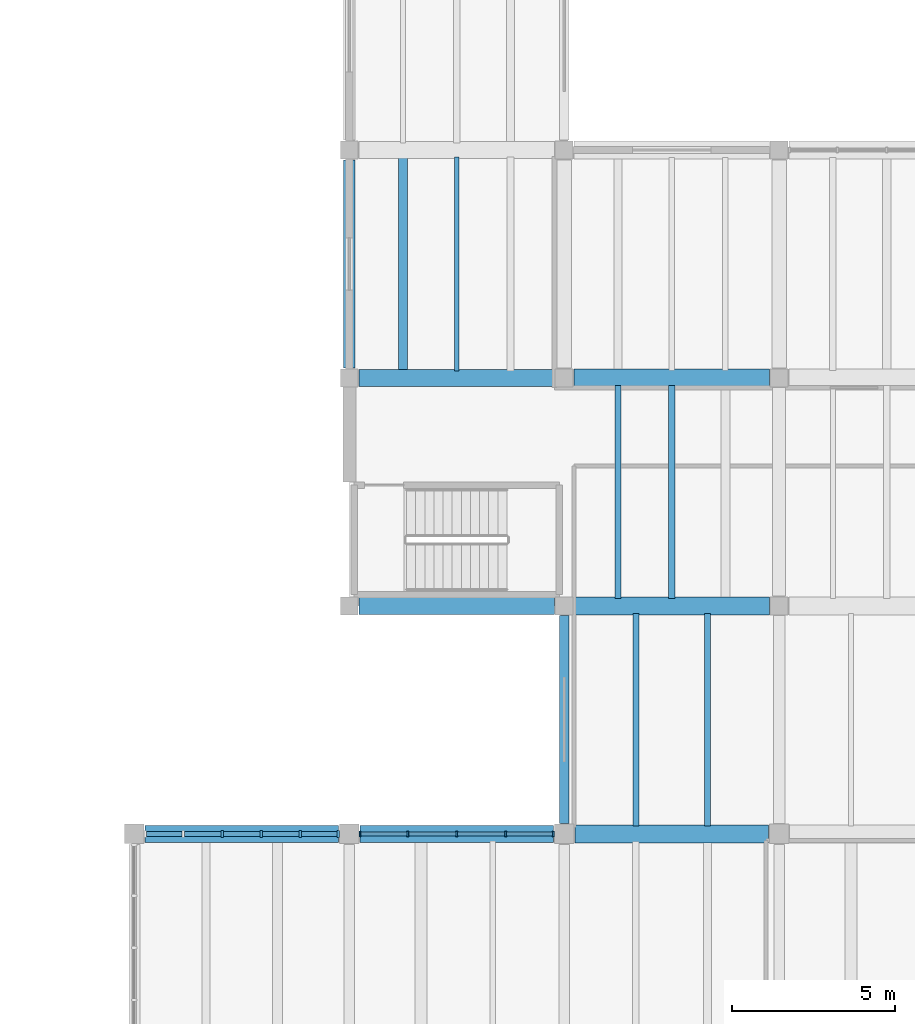
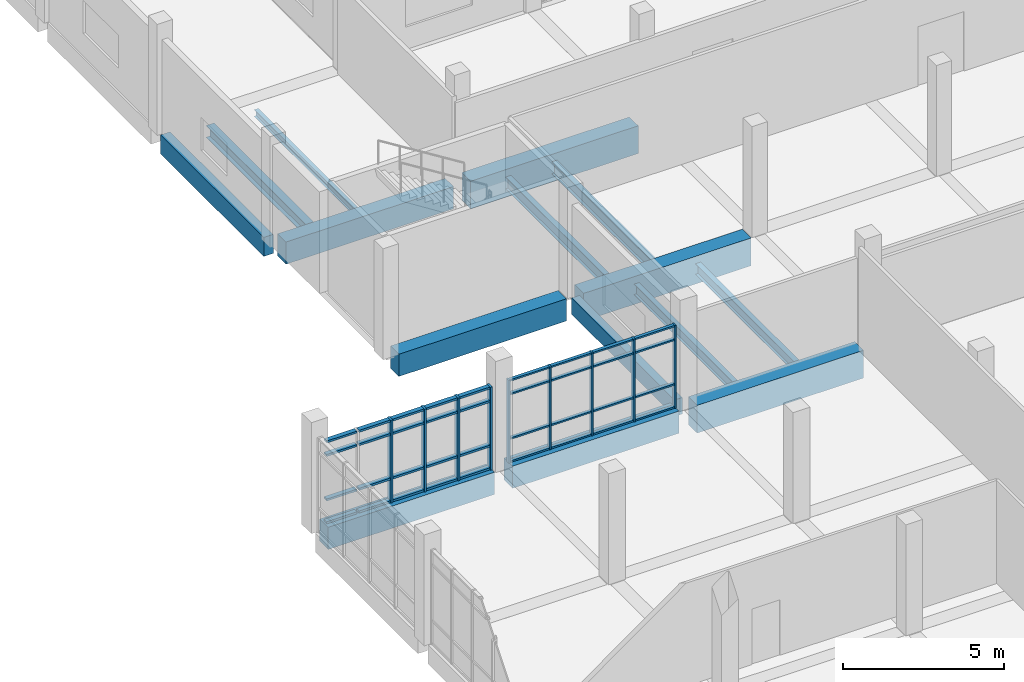
# One storey, part 8 of 67: 45 members, 15 beams, 2 elements without a shape of their own.
"""IFC4 building model written with IfcOpenShell, lengths in metres."""

from ifc_helpers import new_model, si_unit, direction, frame, origin, origin_2d, place, context, subcontext, project, spatial, rectangle, i_section, extrude, material, material_profile, profile_set, type_object, element, aggregate, save


model = new_model("IFC4")

# Units and contexts
model_context = context("Model", 3, precision=1e-05, world=origin(), true_north=direction((0.0, 1.0)))
body_context = subcontext(model_context, "Body", "Model", "MODEL_VIEW")
ifc_project = project(units=[si_unit("LENGTHUNIT", "METRE"), si_unit("AREAUNIT", "SQUARE_METRE"), si_unit("VOLUMEUNIT", "CUBIC_METRE"), si_unit("PLANEANGLEUNIT", "RADIAN"), si_unit("MASSUNIT", "GRAM", prefix="KILO")], contexts=[model_context])

# Site, building, storey
site_placement = place(None, origin())
site = spatial("IfcSite", under=ifc_project, at=site_placement, CompositionType="ELEMENT")
building_placement = place(site_placement, origin())
building = spatial("IfcBuilding", under=site, at=building_placement, Name="Ciguamira Faculty of Natural Sciences", CompositionType="ELEMENT")
storey_placement = place(building_placement, frame((0.0, 0.0, 8.39990234375)))
storey = spatial("IfcBuildingStorey", under=building, at=storey_placement, Name="L02", CompositionType="ELEMENT", Elevation=8.39990234375)

# Curtain wall, members
ifc_material_1 = material(Name="Anodized aluminium curtain wall", Category="aluminium")
curtain_wall_type_1 = type_object("IfcCurtainWallType", Name="CurtainWall_CW-01", PredefinedType="USERDEFINED", material=ifc_material_1)
curtain_wall_1_placement = place(storey_placement, origin())
curtain_wall_1 = element("IfcCurtainWall", 1, at=curtain_wall_1_placement, inside=storey, type_object=curtain_wall_type_1, Name="L02 unitised curtain wall 0061", ObjectType="UNITISED CURTAIN WALL", PredefinedType="USERDEFINED")
ifc_material_2 = material(Name="Anodized aluminium mullion", Category="aluminium")
ifc_material_profile_1 = material_profile(ifc_material_2, rectangle(XDim=0.06005859375, YDim=0.159912109375, at=origin_2d()), Name="ALU-MUL-60X160")
ifc_profile_set_1 = profile_set([ifc_material_profile_1], Name="Anodized aluminium mullion")
member_type_1 = type_object("IfcMemberType", Name="CWMullion_CWM-01", PredefinedType="MULLION", material=ifc_profile_set_1)
member_1_placement = place(storey_placement, frame((57.6298828125, 38.0, 0.0), z_axis=(0.0, 0.0, 1.0), x_axis=(1.0, 0.0, 0.0)))
member_1 = element("IfcMember", 2, at=member_1_placement, type_object=member_type_1, Name="CW-01 mullion 1", PredefinedType="MULLION", context=body_context, shape_type="SweptSolid", body=[
    extrude(rectangle(XDim=0.06005859375, YDim=0.159912109375, at=origin_2d()), origin(), (0.0, 0.0, 1.0), 3.135009765625),
])
member_2_placement = place(storey_placement, frame((59.10009765625, 38.0, 0.0), z_axis=(0.0, 0.0, 1.0), x_axis=(1.0, 0.0, 0.0)))
member_2 = element("IfcMember", 3, at=member_2_placement, type_object=member_type_1, Name="CW-01 mullion 2", PredefinedType="MULLION", context=body_context, shape_type="SweptSolid", body=[
    extrude(rectangle(XDim=0.06005859375, YDim=0.159912109375, at=origin_2d()), origin(), (0.0, 0.0, 1.0), 3.135009765625),
])
member_3_placement = place(storey_placement, frame((60.60009765625, 38.0, 0.0), z_axis=(0.0, 0.0, 1.0), x_axis=(1.0, 0.0, 0.0)))
member_3 = element("IfcMember", 4, at=member_3_placement, type_object=member_type_1, Name="CW-01 mullion 3", PredefinedType="MULLION", context=body_context, shape_type="SweptSolid", body=[
    extrude(rectangle(XDim=0.06005859375, YDim=0.159912109375, at=origin_2d()), origin(), (0.0, 0.0, 1.0), 3.135009765625),
])
member_4_placement = place(storey_placement, frame((62.10009765625, 38.0, 0.0), z_axis=(0.0, 0.0, 1.0), x_axis=(1.0, 0.0, 0.0)))
member_4 = element("IfcMember", 5, at=member_4_placement, type_object=member_type_1, Name="CW-01 mullion 4", PredefinedType="MULLION", context=body_context, shape_type="SweptSolid", body=[
    extrude(rectangle(XDim=0.06005859375, YDim=0.159912109375, at=origin_2d()), origin(), (0.0, 0.0, 1.0), 3.135009765625),
])
member_5_placement = place(storey_placement, frame((63.570068359375, 38.0, 0.0), z_axis=(0.0, 0.0, 1.0), x_axis=(1.0, 0.0, 0.0)))
member_5 = element("IfcMember", 6, at=member_5_placement, type_object=member_type_1, Name="CW-01 mullion 5", PredefinedType="MULLION", context=body_context, shape_type="SweptSolid", body=[
    extrude(rectangle(XDim=0.06005859375, YDim=0.159912109375, at=origin_2d()), origin(), (0.0, 0.0, 1.0), 3.135009765625),
])

curtain_wall_type_2 = type_object("IfcCurtainWallType", Name="CurtainWall_CW-12", PredefinedType="USERDEFINED", material=ifc_material_1)
curtain_wall_2_placement = place(storey_placement, origin())
curtain_wall_2 = element("IfcCurtainWall", 7, at=curtain_wall_2_placement, inside=storey, type_object=curtain_wall_type_2, Name="L02 unitised curtain wall 0060", ObjectType="UNITISED CURTAIN WALL", PredefinedType="USERDEFINED")
ifc_material_profile_2 = material_profile(ifc_material_2, rectangle(XDim=0.080078125, YDim=0.219970703125, at=origin_2d()), Name="ALU-MUL-80X220")
ifc_profile_set_2 = profile_set([ifc_material_profile_2], Name="Anodized aluminium mullion")
member_type_2 = type_object("IfcMemberType", Name="CWMullion_CWM-03", PredefinedType="MULLION", material=ifc_profile_set_2)
member_6_placement = place(storey_placement, frame((53.39990234375, 38.0, 0.0), z_axis=(0.0, 0.0, 1.0), x_axis=(1.0, 0.0, 0.0)))
member_6 = element("IfcMember", 8, at=member_6_placement, type_object=member_type_2, Name="CW-12 mullion 3", PredefinedType="MULLION", context=body_context, shape_type="SweptSolid", body=[
    extrude(rectangle(XDim=0.080078125, YDim=0.219970703125, at=origin_2d()), origin(), (0.0, 0.0, 1.0), 3.135009765625),
])
member_7_placement = place(storey_placement, frame((54.60009765625, 38.0, 0.0), z_axis=(0.0, 0.0, 1.0), x_axis=(1.0, 0.0, 0.0)))
member_7 = element("IfcMember", 9, at=member_7_placement, type_object=member_type_2, Name="CW-12 mullion 4", PredefinedType="MULLION", context=body_context, shape_type="SweptSolid", body=[
    extrude(rectangle(XDim=0.080078125, YDim=0.219970703125, at=origin_2d()), origin(), (0.0, 0.0, 1.0), 3.135009765625),
])
member_8_placement = place(storey_placement, frame((55.800048828125, 38.0, 0.0), z_axis=(0.0, 0.0, 1.0), x_axis=(1.0, 0.0, 0.0)))
member_8 = element("IfcMember", 10, at=member_8_placement, type_object=member_type_2, Name="CW-12 mullion 5", PredefinedType="MULLION", context=body_context, shape_type="SweptSolid", body=[
    extrude(rectangle(XDim=0.080078125, YDim=0.219970703125, at=origin_2d()), origin(), (0.0, 0.0, 1.0), 3.135009765625),
])
member_9_placement = place(storey_placement, frame((56.9599609375, 38.0, 0.0), z_axis=(0.0, 0.0, 1.0), x_axis=(1.0, 0.0, 0.0)))
member_9 = element("IfcMember", 11, at=member_9_placement, type_object=member_type_2, Name="CW-12 mullion 6", PredefinedType="MULLION", context=body_context, shape_type="SweptSolid", body=[
    extrude(rectangle(XDim=0.080078125, YDim=0.219970703125, at=origin_2d()), origin(), (0.0, 0.0, 1.0), 3.135009765625),
])

# Member
ifc_material_3 = material(Name="Anodized aluminium transom", Category="aluminium")
ifc_material_profile_3 = material_profile(ifc_material_3, rectangle(XDim=0.06005859375, YDim=0.1201171875, at=origin_2d()), Name="ALU-TRN-60X120")
ifc_profile_set_3 = profile_set([ifc_material_profile_3], Name="Anodized aluminium transom")
member_type_3 = type_object("IfcMemberType", Name="CWTransom_CWT-01", PredefinedType="USERDEFINED", material=ifc_profile_set_3)
member_10_placement = place(storey_placement, frame((57.659912109375, 38.0, 0.030029296875), z_axis=(1.0, 0.0, 0.0), x_axis=(0.0, 0.0, 1.0)))
member_10 = element("IfcMember", 12, at=member_10_placement, type_object=member_type_3, Name="CW-01 transom 1.1", ObjectType="TRANSOM", PredefinedType="USERDEFINED", context=body_context, shape_type="SweptSolid", body=[
    extrude(rectangle(XDim=0.06005859375, YDim=0.1201171875, at=origin_2d()), origin(), (0.0, 0.0, 1.0), 1.41015625),
])

member_11_placement = place(storey_placement, frame((57.659912109375, 38.0, 0.900146484375), z_axis=(1.0, 0.0, 0.0), x_axis=(0.0, 0.0, 1.0)))
member_11 = element("IfcMember", 13, at=member_11_placement, type_object=member_type_3, Name="CW-01 transom 1.2", ObjectType="TRANSOM", PredefinedType="USERDEFINED", context=body_context, shape_type="SweptSolid", body=[
    extrude(rectangle(XDim=0.06005859375, YDim=0.1201171875, at=origin_2d()), origin(), (0.0, 0.0, 1.0), 1.41015625),
])

member_12_placement = place(storey_placement, frame((57.659912109375, 38.0, 2.585205078125), z_axis=(1.0, 0.0, 0.0), x_axis=(0.0, 0.0, 1.0)))
member_12 = element("IfcMember", 14, at=member_12_placement, type_object=member_type_3, Name="CW-01 transom 1.3", ObjectType="TRANSOM", PredefinedType="USERDEFINED", context=body_context, shape_type="SweptSolid", body=[
    extrude(rectangle(XDim=0.06005859375, YDim=0.1201171875, at=origin_2d()), origin(), (0.0, 0.0, 1.0), 1.41015625),
])

member_13_placement = place(storey_placement, frame((57.659912109375, 38.0, 3.10498046875), z_axis=(1.0, 0.0, 0.0), x_axis=(0.0, 0.0, 1.0)))
member_13 = element("IfcMember", 15, at=member_13_placement, type_object=member_type_3, Name="CW-01 transom 1.4", ObjectType="TRANSOM", PredefinedType="USERDEFINED", context=body_context, shape_type="SweptSolid", body=[
    extrude(rectangle(XDim=0.06005859375, YDim=0.1201171875, at=origin_2d()), origin(), (0.0, 0.0, 1.0), 1.41015625),
])

member_14_placement = place(storey_placement, frame((59.1298828125, 38.0, 0.030029296875), z_axis=(1.0, 0.0, 0.0), x_axis=(0.0, 0.0, 1.0)))
member_14 = element("IfcMember", 16, at=member_14_placement, type_object=member_type_3, Name="CW-01 transom 2.1", ObjectType="TRANSOM", PredefinedType="USERDEFINED", context=body_context, shape_type="SweptSolid", body=[
    extrude(rectangle(XDim=0.06005859375, YDim=0.1201171875, at=origin_2d()), origin(), (0.0, 0.0, 1.0), 1.440185546875),
])

member_15_placement = place(storey_placement, frame((59.1298828125, 38.0, 0.900146484375), z_axis=(1.0, 0.0, 0.0), x_axis=(0.0, 0.0, 1.0)))
member_15 = element("IfcMember", 17, at=member_15_placement, type_object=member_type_3, Name="CW-01 transom 2.2", ObjectType="TRANSOM", PredefinedType="USERDEFINED", context=body_context, shape_type="SweptSolid", body=[
    extrude(rectangle(XDim=0.06005859375, YDim=0.1201171875, at=origin_2d()), origin(), (0.0, 0.0, 1.0), 1.440185546875),
])

member_16_placement = place(storey_placement, frame((59.1298828125, 38.0, 2.585205078125), z_axis=(1.0, 0.0, 0.0), x_axis=(0.0, 0.0, 1.0)))
member_16 = element("IfcMember", 18, at=member_16_placement, type_object=member_type_3, Name="CW-01 transom 2.3", ObjectType="TRANSOM", PredefinedType="USERDEFINED", context=body_context, shape_type="SweptSolid", body=[
    extrude(rectangle(XDim=0.06005859375, YDim=0.1201171875, at=origin_2d()), origin(), (0.0, 0.0, 1.0), 1.440185546875),
])

member_17_placement = place(storey_placement, frame((59.1298828125, 38.0, 3.10498046875), z_axis=(1.0, 0.0, 0.0), x_axis=(0.0, 0.0, 1.0)))
member_17 = element("IfcMember", 19, at=member_17_placement, type_object=member_type_3, Name="CW-01 transom 2.4", ObjectType="TRANSOM", PredefinedType="USERDEFINED", context=body_context, shape_type="SweptSolid", body=[
    extrude(rectangle(XDim=0.06005859375, YDim=0.1201171875, at=origin_2d()), origin(), (0.0, 0.0, 1.0), 1.440185546875),
])

member_18_placement = place(storey_placement, frame((60.6298828125, 38.0, 0.030029296875), z_axis=(1.0, 0.0, 0.0), x_axis=(0.0, 0.0, 1.0)))
member_18 = element("IfcMember", 20, at=member_18_placement, type_object=member_type_3, Name="CW-01 transom 3.1", ObjectType="TRANSOM", PredefinedType="USERDEFINED", context=body_context, shape_type="SweptSolid", body=[
    extrude(rectangle(XDim=0.06005859375, YDim=0.1201171875, at=origin_2d()), origin(), (0.0, 0.0, 1.0), 1.440185546875),
])

member_19_placement = place(storey_placement, frame((60.6298828125, 38.0, 0.900146484375), z_axis=(1.0, 0.0, 0.0), x_axis=(0.0, 0.0, 1.0)))
member_19 = element("IfcMember", 21, at=member_19_placement, type_object=member_type_3, Name="CW-01 transom 3.2", ObjectType="TRANSOM", PredefinedType="USERDEFINED", context=body_context, shape_type="SweptSolid", body=[
    extrude(rectangle(XDim=0.06005859375, YDim=0.1201171875, at=origin_2d()), origin(), (0.0, 0.0, 1.0), 1.440185546875),
])

member_20_placement = place(storey_placement, frame((60.6298828125, 38.0, 2.585205078125), z_axis=(1.0, 0.0, 0.0), x_axis=(0.0, 0.0, 1.0)))
member_20 = element("IfcMember", 22, at=member_20_placement, type_object=member_type_3, Name="CW-01 transom 3.3", ObjectType="TRANSOM", PredefinedType="USERDEFINED", context=body_context, shape_type="SweptSolid", body=[
    extrude(rectangle(XDim=0.06005859375, YDim=0.1201171875, at=origin_2d()), origin(), (0.0, 0.0, 1.0), 1.440185546875),
])

member_21_placement = place(storey_placement, frame((60.6298828125, 38.0, 3.10498046875), z_axis=(1.0, 0.0, 0.0), x_axis=(0.0, 0.0, 1.0)))
member_21 = element("IfcMember", 23, at=member_21_placement, type_object=member_type_3, Name="CW-01 transom 3.4", ObjectType="TRANSOM", PredefinedType="USERDEFINED", context=body_context, shape_type="SweptSolid", body=[
    extrude(rectangle(XDim=0.06005859375, YDim=0.1201171875, at=origin_2d()), origin(), (0.0, 0.0, 1.0), 1.440185546875),
])

member_22_placement = place(storey_placement, frame((62.1298828125, 38.0, 0.030029296875), z_axis=(1.0, 0.0, 0.0), x_axis=(0.0, 0.0, 1.0)))
member_22 = element("IfcMember", 24, at=member_22_placement, type_object=member_type_3, Name="CW-01 transom 4.1", ObjectType="TRANSOM", PredefinedType="USERDEFINED", context=body_context, shape_type="SweptSolid", body=[
    extrude(rectangle(XDim=0.06005859375, YDim=0.1201171875, at=origin_2d()), origin(), (0.0, 0.0, 1.0), 1.41015625),
])

member_23_placement = place(storey_placement, frame((62.1298828125, 38.0, 0.900146484375), z_axis=(1.0, 0.0, 0.0), x_axis=(0.0, 0.0, 1.0)))
member_23 = element("IfcMember", 25, at=member_23_placement, type_object=member_type_3, Name="CW-01 transom 4.2", ObjectType="TRANSOM", PredefinedType="USERDEFINED", context=body_context, shape_type="SweptSolid", body=[
    extrude(rectangle(XDim=0.06005859375, YDim=0.1201171875, at=origin_2d()), origin(), (0.0, 0.0, 1.0), 1.41015625),
])

member_24_placement = place(storey_placement, frame((62.1298828125, 38.0, 2.585205078125), z_axis=(1.0, 0.0, 0.0), x_axis=(0.0, 0.0, 1.0)))
member_24 = element("IfcMember", 26, at=member_24_placement, type_object=member_type_3, Name="CW-01 transom 4.3", ObjectType="TRANSOM", PredefinedType="USERDEFINED", context=body_context, shape_type="SweptSolid", body=[
    extrude(rectangle(XDim=0.06005859375, YDim=0.1201171875, at=origin_2d()), origin(), (0.0, 0.0, 1.0), 1.41015625),
])

member_25_placement = place(storey_placement, frame((62.1298828125, 38.0, 3.10498046875), z_axis=(1.0, 0.0, 0.0), x_axis=(0.0, 0.0, 1.0)))
member_25 = element("IfcMember", 27, at=member_25_placement, type_object=member_type_3, Name="CW-01 transom 4.4", ObjectType="TRANSOM", PredefinedType="USERDEFINED", context=body_context, shape_type="SweptSolid", body=[
    extrude(rectangle(XDim=0.06005859375, YDim=0.1201171875, at=origin_2d()), origin(), (0.0, 0.0, 1.0), 1.41015625),
])

aggregate(curtain_wall_1, [member_1, member_2, member_3, member_4, member_5, member_10, member_11, member_12, member_13, member_14, member_15, member_16, member_17, member_18, member_19, member_20, member_21, member_22, member_23, member_24, member_25])

ifc_material_profile_4 = material_profile(ifc_material_3, rectangle(XDim=0.080078125, YDim=0.159912109375, at=origin_2d()), Name="ALU-TRN-80X160")
ifc_profile_set_4 = profile_set([ifc_material_profile_4], Name="Anodized aluminium transom")
member_type_4 = type_object("IfcMemberType", Name="CWTransom_CWT-03", PredefinedType="USERDEFINED", material=ifc_profile_set_4)
member_26_placement = place(storey_placement, frame((51.080078125, 38.0, 0.0400390625), z_axis=(1.0, 0.0, 0.0), x_axis=(0.0, 0.0, 1.0)))
member_26 = element("IfcMember", 28, at=member_26_placement, type_object=member_type_4, Name="CW-12 transom 1.1", ObjectType="TRANSOM", PredefinedType="USERDEFINED", context=body_context, shape_type="SweptSolid", body=[
    extrude(rectangle(XDim=0.080078125, YDim=0.159912109375, at=origin_2d()), origin(), (0.0, 0.0, 1.0), 1.079833984375),
])

member_27_placement = place(storey_placement, frame((51.080078125, 38.0, 0.900146484375), z_axis=(1.0, 0.0, 0.0), x_axis=(0.0, 0.0, 1.0)))
member_27 = element("IfcMember", 29, at=member_27_placement, type_object=member_type_4, Name="CW-12 transom 1.2", ObjectType="TRANSOM", PredefinedType="USERDEFINED", context=body_context, shape_type="SweptSolid", body=[
    extrude(rectangle(XDim=0.080078125, YDim=0.159912109375, at=origin_2d()), origin(), (0.0, 0.0, 1.0), 1.079833984375),
])

member_28_placement = place(storey_placement, frame((51.080078125, 38.0, 2.585205078125), z_axis=(1.0, 0.0, 0.0), x_axis=(0.0, 0.0, 1.0)))
member_28 = element("IfcMember", 30, at=member_28_placement, type_object=member_type_4, Name="CW-12 transom 1.3", ObjectType="TRANSOM", PredefinedType="USERDEFINED", context=body_context, shape_type="SweptSolid", body=[
    extrude(rectangle(XDim=0.080078125, YDim=0.159912109375, at=origin_2d()), origin(), (0.0, 0.0, 1.0), 1.079833984375),
])

member_29_placement = place(storey_placement, frame((51.080078125, 38.0, 3.09521484375), z_axis=(1.0, 0.0, 0.0), x_axis=(0.0, 0.0, 1.0)))
member_29 = element("IfcMember", 31, at=member_29_placement, type_object=member_type_4, Name="CW-12 transom 1.4", ObjectType="TRANSOM", PredefinedType="USERDEFINED", context=body_context, shape_type="SweptSolid", body=[
    extrude(rectangle(XDim=0.080078125, YDim=0.159912109375, at=origin_2d()), origin(), (0.0, 0.0, 1.0), 1.079833984375),
])

member_30_placement = place(storey_placement, frame((52.239990234375, 38.0, 0.0400390625), z_axis=(1.0, 0.0, 0.0), x_axis=(0.0, 0.0, 1.0)))
member_30 = element("IfcMember", 32, at=member_30_placement, type_object=member_type_4, Name="CW-12 transom 2.1", ObjectType="TRANSOM", PredefinedType="USERDEFINED", context=body_context, shape_type="SweptSolid", body=[
    extrude(rectangle(XDim=0.080078125, YDim=0.159912109375, at=origin_2d()), origin(), (0.0, 0.0, 1.0), 1.1201171875),
])

member_31_placement = place(storey_placement, frame((52.239990234375, 38.0, 0.900146484375), z_axis=(1.0, 0.0, 0.0), x_axis=(0.0, 0.0, 1.0)))
member_31 = element("IfcMember", 33, at=member_31_placement, type_object=member_type_4, Name="CW-12 transom 2.2", ObjectType="TRANSOM", PredefinedType="USERDEFINED", context=body_context, shape_type="SweptSolid", body=[
    extrude(rectangle(XDim=0.080078125, YDim=0.159912109375, at=origin_2d()), origin(), (0.0, 0.0, 1.0), 1.1201171875),
])

member_32_placement = place(storey_placement, frame((52.239990234375, 38.0, 2.585205078125), z_axis=(1.0, 0.0, 0.0), x_axis=(0.0, 0.0, 1.0)))
member_32 = element("IfcMember", 34, at=member_32_placement, type_object=member_type_4, Name="CW-12 transom 2.3", ObjectType="TRANSOM", PredefinedType="USERDEFINED", context=body_context, shape_type="SweptSolid", body=[
    extrude(rectangle(XDim=0.080078125, YDim=0.159912109375, at=origin_2d()), origin(), (0.0, 0.0, 1.0), 1.1201171875),
])

member_33_placement = place(storey_placement, frame((52.239990234375, 38.0, 3.09521484375), z_axis=(1.0, 0.0, 0.0), x_axis=(0.0, 0.0, 1.0)))
member_33 = element("IfcMember", 35, at=member_33_placement, type_object=member_type_4, Name="CW-12 transom 2.4", ObjectType="TRANSOM", PredefinedType="USERDEFINED", context=body_context, shape_type="SweptSolid", body=[
    extrude(rectangle(XDim=0.080078125, YDim=0.159912109375, at=origin_2d()), origin(), (0.0, 0.0, 1.0), 1.1201171875),
])

member_34_placement = place(storey_placement, frame((53.43994140625, 38.0, 0.0400390625), z_axis=(1.0, 0.0, 0.0), x_axis=(0.0, 0.0, 1.0)))
member_34 = element("IfcMember", 36, at=member_34_placement, type_object=member_type_4, Name="CW-12 transom 3.1", ObjectType="TRANSOM", PredefinedType="USERDEFINED", context=body_context, shape_type="SweptSolid", body=[
    extrude(rectangle(XDim=0.080078125, YDim=0.159912109375, at=origin_2d()), origin(), (0.0, 0.0, 1.0), 1.1201171875),
])

member_35_placement = place(storey_placement, frame((53.43994140625, 38.0, 0.900146484375), z_axis=(1.0, 0.0, 0.0), x_axis=(0.0, 0.0, 1.0)))
member_35 = element("IfcMember", 37, at=member_35_placement, type_object=member_type_4, Name="CW-12 transom 3.2", ObjectType="TRANSOM", PredefinedType="USERDEFINED", context=body_context, shape_type="SweptSolid", body=[
    extrude(rectangle(XDim=0.080078125, YDim=0.159912109375, at=origin_2d()), origin(), (0.0, 0.0, 1.0), 1.1201171875),
])

member_36_placement = place(storey_placement, frame((53.43994140625, 38.0, 2.585205078125), z_axis=(1.0, 0.0, 0.0), x_axis=(0.0, 0.0, 1.0)))
member_36 = element("IfcMember", 38, at=member_36_placement, type_object=member_type_4, Name="CW-12 transom 3.3", ObjectType="TRANSOM", PredefinedType="USERDEFINED", context=body_context, shape_type="SweptSolid", body=[
    extrude(rectangle(XDim=0.080078125, YDim=0.159912109375, at=origin_2d()), origin(), (0.0, 0.0, 1.0), 1.1201171875),
])

member_37_placement = place(storey_placement, frame((53.43994140625, 38.0, 3.09521484375), z_axis=(1.0, 0.0, 0.0), x_axis=(0.0, 0.0, 1.0)))
member_37 = element("IfcMember", 39, at=member_37_placement, type_object=member_type_4, Name="CW-12 transom 3.4", ObjectType="TRANSOM", PredefinedType="USERDEFINED", context=body_context, shape_type="SweptSolid", body=[
    extrude(rectangle(XDim=0.080078125, YDim=0.159912109375, at=origin_2d()), origin(), (0.0, 0.0, 1.0), 1.1201171875),
])

member_38_placement = place(storey_placement, frame((54.639892578125, 38.0, 0.0400390625), z_axis=(1.0, 0.0, 0.0), x_axis=(0.0, 0.0, 1.0)))
member_38 = element("IfcMember", 40, at=member_38_placement, type_object=member_type_4, Name="CW-12 transom 4.1", ObjectType="TRANSOM", PredefinedType="USERDEFINED", context=body_context, shape_type="SweptSolid", body=[
    extrude(rectangle(XDim=0.080078125, YDim=0.159912109375, at=origin_2d()), origin(), (0.0, 0.0, 1.0), 1.1201171875),
])

member_39_placement = place(storey_placement, frame((54.639892578125, 38.0, 0.900146484375), z_axis=(1.0, 0.0, 0.0), x_axis=(0.0, 0.0, 1.0)))
member_39 = element("IfcMember", 41, at=member_39_placement, type_object=member_type_4, Name="CW-12 transom 4.2", ObjectType="TRANSOM", PredefinedType="USERDEFINED", context=body_context, shape_type="SweptSolid", body=[
    extrude(rectangle(XDim=0.080078125, YDim=0.159912109375, at=origin_2d()), origin(), (0.0, 0.0, 1.0), 1.1201171875),
])

member_40_placement = place(storey_placement, frame((54.639892578125, 38.0, 2.585205078125), z_axis=(1.0, 0.0, 0.0), x_axis=(0.0, 0.0, 1.0)))
member_40 = element("IfcMember", 42, at=member_40_placement, type_object=member_type_4, Name="CW-12 transom 4.3", ObjectType="TRANSOM", PredefinedType="USERDEFINED", context=body_context, shape_type="SweptSolid", body=[
    extrude(rectangle(XDim=0.080078125, YDim=0.159912109375, at=origin_2d()), origin(), (0.0, 0.0, 1.0), 1.1201171875),
])

member_41_placement = place(storey_placement, frame((54.639892578125, 38.0, 3.09521484375), z_axis=(1.0, 0.0, 0.0), x_axis=(0.0, 0.0, 1.0)))
member_41 = element("IfcMember", 43, at=member_41_placement, type_object=member_type_4, Name="CW-12 transom 4.4", ObjectType="TRANSOM", PredefinedType="USERDEFINED", context=body_context, shape_type="SweptSolid", body=[
    extrude(rectangle(XDim=0.080078125, YDim=0.159912109375, at=origin_2d()), origin(), (0.0, 0.0, 1.0), 1.1201171875),
])

member_42_placement = place(storey_placement, frame((55.840087890625, 38.0, 0.0400390625), z_axis=(1.0, 0.0, 0.0), x_axis=(0.0, 0.0, 1.0)))
member_42 = element("IfcMember", 44, at=member_42_placement, type_object=member_type_4, Name="CW-12 transom 5.1", ObjectType="TRANSOM", PredefinedType="USERDEFINED", context=body_context, shape_type="SweptSolid", body=[
    extrude(rectangle(XDim=0.080078125, YDim=0.159912109375, at=origin_2d()), origin(), (0.0, 0.0, 1.0), 1.079833984375),
])

member_43_placement = place(storey_placement, frame((55.840087890625, 38.0, 0.900146484375), z_axis=(1.0, 0.0, 0.0), x_axis=(0.0, 0.0, 1.0)))
member_43 = element("IfcMember", 45, at=member_43_placement, type_object=member_type_4, Name="CW-12 transom 5.2", ObjectType="TRANSOM", PredefinedType="USERDEFINED", context=body_context, shape_type="SweptSolid", body=[
    extrude(rectangle(XDim=0.080078125, YDim=0.159912109375, at=origin_2d()), origin(), (0.0, 0.0, 1.0), 1.079833984375),
])

member_44_placement = place(storey_placement, frame((55.840087890625, 38.0, 2.585205078125), z_axis=(1.0, 0.0, 0.0), x_axis=(0.0, 0.0, 1.0)))
member_44 = element("IfcMember", 46, at=member_44_placement, type_object=member_type_4, Name="CW-12 transom 5.3", ObjectType="TRANSOM", PredefinedType="USERDEFINED", context=body_context, shape_type="SweptSolid", body=[
    extrude(rectangle(XDim=0.080078125, YDim=0.159912109375, at=origin_2d()), origin(), (0.0, 0.0, 1.0), 1.079833984375),
])

member_45_placement = place(storey_placement, frame((55.840087890625, 38.0, 3.09521484375), z_axis=(1.0, 0.0, 0.0), x_axis=(0.0, 0.0, 1.0)))
member_45 = element("IfcMember", 47, at=member_45_placement, type_object=member_type_4, Name="CW-12 transom 5.4", ObjectType="TRANSOM", PredefinedType="USERDEFINED", context=body_context, shape_type="SweptSolid", body=[
    extrude(rectangle(XDim=0.080078125, YDim=0.159912109375, at=origin_2d()), origin(), (0.0, 0.0, 1.0), 1.079833984375),
])

aggregate(curtain_wall_2, [member_6, member_7, member_8, member_9, member_26, member_27, member_28, member_29, member_30, member_31, member_32, member_33, member_34, member_35, member_36, member_37, member_38, member_39, member_40, member_41, member_42, member_43, member_44, member_45])

# Beams
ifc_material_4 = material(Name="Concrete C40/50", Category="concrete")
ifc_material_profile_5 = material_profile(ifc_material_4, rectangle(XDim=0.550048828125, YDim=1.050048828125, at=origin_2d()), Name="RC-BM-550X1050")
ifc_profile_set_5 = profile_set([ifc_material_profile_5], Name="Concrete C40/50")
beam_type_1 = type_object("IfcBeamType", Name="RCBeam_BG-01_RC-BM-550X1050", PredefinedType="BEAM", material=ifc_profile_set_5)
beam_1_placement = place(storey_placement, frame((64.22509765625, 38.0, -0.52490234375), z_axis=(1.0, 0.0, 0.0), x_axis=(0.0, 1.0, 0.0)))
element("IfcBeam", 48, at=beam_1_placement, inside=storey, type_object=beam_type_1, Name="L02 RC girder EW-0774", PredefinedType="BEAM", context=body_context, shape_type="SweptSolid", body=[
    extrude(rectangle(XDim=0.550048828125, YDim=1.050048828125, at=origin_2d()), origin(), (0.0, 0.0, 1.0), 5.949951171875),
])
for number, where, z_axis, x_axis, name in (
    (49, (64.199951171875, 45.0, -0.52490234375), (1.0, 0.0, 0.0), (0.0, 1.0, 0.0), "L02 RC girder EW-0784"),
    (50, (64.199951171875, 52.0, -0.52490234375), (1.0, 0.0, 0.0), (0.0, 1.0, 0.0), "L02 RC girder EW-0793"),
):
    element("IfcBeam", number, at=place(storey_placement, frame(where, z_axis=z_axis, x_axis=x_axis)), inside=storey, type_object=beam_type_1, Name=name, PredefinedType="BEAM", context=body_context, shape_type="SweptSolid", body=[
        extrude(rectangle(XDim=0.550048828125, YDim=1.050048828125, at=origin_2d()), origin(), (0.0, 0.0, 1.0), 6.0),
    ])
ifc_material_5 = material(Name="Precast concrete C40/50", Category="concrete")
ifc_material_profile_6 = material_profile(ifc_material_5, rectangle(XDim=0.280029296875, YDim=0.6201171875, at=origin_2d()), Name="RC-SP-280X620")
ifc_profile_set_6 = profile_set([ifc_material_profile_6], Name="Precast concrete C40/50")
beam_type_2 = type_object("IfcBeamType", Name="RCBeam_SP-01_RC-SP-280X620", PredefinedType="SPANDREL", material=ifc_profile_set_6)
beam_2_placement = place(storey_placement, frame((63.89990234375, 38.324951171875, -0.309814453125), z_axis=(0.0, 1.0, 0.0), x_axis=(-1.0, 0.0, 0.0)))
element("IfcBeam", 51, at=beam_2_placement, inside=storey, type_object=beam_type_2, Name="L02 girder NS-0911", PredefinedType="SPANDREL", context=body_context, shape_type="SweptSolid", body=[
    extrude(rectangle(XDim=0.280029296875, YDim=0.6201171875, at=origin_2d()), origin(), (0.0, 0.0, 1.0), 6.375),
])
ifc_material_profile_7 = material_profile(ifc_material_5, rectangle(XDim=0.340087890625, YDim=0.719970703125, at=origin_2d()), Name="RC-SP-340X720")
ifc_profile_set_7 = profile_set([ifc_material_profile_7], Name="Precast concrete C40/50")
beam_type_3 = type_object("IfcBeamType", Name="RCBeam_SP-03_RC-SP-340X720", PredefinedType="SPANDREL", material=ifc_profile_set_7)
beam_3_placement = place(storey_placement, frame((57.300048828125, 52.300048828125, -0.35986328125), z_axis=(0.0, 1.0, 0.0), x_axis=(-1.0, 0.0, 0.0)))
element("IfcBeam", 52, at=beam_3_placement, inside=storey, type_object=beam_type_3, Name="L02 girder NS-0900", PredefinedType="SPANDREL", context=body_context, shape_type="SweptSolid", body=[
    extrude(rectangle(XDim=0.340087890625, YDim=0.719970703125, at=origin_2d()), origin(), (0.0, 0.0, 1.0), 6.39990234375),
])
ifc_material_profile_8 = material_profile(ifc_material_4, rectangle(XDim=0.52001953125, YDim=0.840087890625, at=origin_2d()), Name="RC-TB-520X840")
ifc_profile_set_8 = profile_set([ifc_material_profile_8], Name="Concrete C40/50")
beam_type_4 = type_object("IfcBeamType", Name="RCBeam_TB-02_RC-TB-520X840", PredefinedType="T_BEAM", material=ifc_profile_set_8)
beam_4_placement = place(storey_placement, frame((51.02490234375, 38.0, -0.419921875), z_axis=(1.0, 0.0, 0.0), x_axis=(0.0, 1.0, 0.0)))
element("IfcBeam", 53, at=beam_4_placement, inside=storey, type_object=beam_type_4, Name="L02 RC girder EW-0772", PredefinedType="T_BEAM", context=body_context, shape_type="SweptSolid", body=[
    extrude(rectangle(XDim=0.52001953125, YDim=0.840087890625, at=origin_2d()), origin(), (0.0, 0.0, 1.0), 5.9501953125),
])
beam_5_placement = place(storey_placement, frame((57.625, 38.0, -0.419921875), z_axis=(1.0, 0.0, 0.0), x_axis=(0.0, 1.0, 0.0)))
element("IfcBeam", 54, at=beam_5_placement, inside=storey, type_object=beam_type_4, Name="L02 RC girder EW-0773", PredefinedType="T_BEAM", context=body_context, shape_type="SweptSolid", body=[
    extrude(rectangle(XDim=0.52001953125, YDim=0.840087890625, at=origin_2d()), origin(), (0.0, 0.0, 1.0), 5.949951171875),
])
for number, where, z_axis, x_axis, name in (
    (55, (57.60009765625, 45.0, -0.419921875), (1.0, 0.0, 0.0), (0.0, 1.0, 0.0), "L02 RC girder EW-0783"),
    (56, (57.60009765625, 52.0, -0.419921875), (1.0, 0.0, 0.0), (0.0, 1.0, 0.0), "L02 RC girder EW-0792"),
):
    element("IfcBeam", number, at=place(storey_placement, frame(where, z_axis=z_axis, x_axis=x_axis)), inside=storey, type_object=beam_type_4, Name=name, PredefinedType="T_BEAM", context=body_context, shape_type="SweptSolid", body=[
        extrude(rectangle(XDim=0.52001953125, YDim=0.840087890625, at=origin_2d()), origin(), (0.0, 0.0, 1.0), 6.0),
    ])
ifc_material_6 = material(Name="Steel ASTM A992 Grade 50", Category="steel")
ifc_material_profile_9 = material_profile(ifc_material_6, i_section(OverallWidth=0.14599609375, OverallDepth=0.259033203125, WebThickness=0.006103515625, FlangeThickness=0.009033203125, at=origin_2d()), Name="W10X22")
ifc_profile_set_9 = profile_set([ifc_material_profile_9], Name="Steel ASTM A992 Grade 50")
beam_type_5 = type_object("IfcBeamType", Name="SteelJoist_SJ-01_W10X22", PredefinedType="JOIST", material=ifc_profile_set_9)
beam_6_placement = place(storey_placement, frame((60.60009765625, 52.219970703125, -0.409423828125), z_axis=(0.0, 1.0, 0.0), x_axis=(-1.0, 0.0, 0.0)))
element("IfcBeam", 57, at=beam_6_placement, inside=storey, type_object=beam_type_5, Name="L02 composite steel joist 00716", PredefinedType="JOIST", context=body_context, shape_type="SweptSolid", body=[
    extrude(i_section(OverallWidth=0.14599609375, OverallDepth=0.259033203125, WebThickness=0.006103515625, FlangeThickness=0.009033203125, at=origin_2d()), origin(), (0.0, 0.0, 1.0), 6.56005859375),
])
ifc_material_profile_10 = material_profile(ifc_material_6, i_section(OverallWidth=0.177490234375, OverallDepth=0.40380859375, WebThickness=0.007568359375, FlangeThickness=0.010986328125, at=origin_2d()), Name="W16X36")
ifc_profile_set_10 = profile_set([ifc_material_profile_10], Name="Steel ASTM A992 Grade 50")
beam_type_6 = type_object("IfcBeamType", Name="SteelJoist_SJ-18_W16X36", PredefinedType="JOIST", material=ifc_profile_set_10)
beam_7_placement = place(storey_placement, frame((66.10009765625, 38.235107421875, -0.481689453125), z_axis=(0.0, 1.0, 0.0), x_axis=(-1.0, 0.0, 0.0)))
element("IfcBeam", 58, at=beam_7_placement, inside=storey, type_object=beam_type_6, Name="L02 composite steel joist 00743", PredefinedType="JOIST", context=body_context, shape_type="SweptSolid", body=[
    extrude(i_section(OverallWidth=0.177490234375, OverallDepth=0.40380859375, WebThickness=0.007568359375, FlangeThickness=0.010986328125, at=origin_2d()), origin(), (0.0, 0.0, 1.0), 6.52978515625),
])
ifc_material_profile_11 = material_profile(ifc_material_6, i_section(OverallWidth=0.1787109375, OverallDepth=0.408935546875, WebThickness=0.0087890625, FlangeThickness=0.014404296875, at=origin_2d()), Name="W16X45")
ifc_profile_set_11 = profile_set([ifc_material_profile_11], Name="Steel ASTM A992 Grade 50")
beam_type_7 = type_object("IfcBeamType", Name="SteelJoist_SJ-19_W16X45", PredefinedType="JOIST", material=ifc_profile_set_11)
beam_8_placement = place(storey_placement, frame((68.300048828125, 38.235107421875, -0.484375), z_axis=(0.0, 1.0, 0.0), x_axis=(-1.0, 0.0, 0.0)))
element("IfcBeam", 59, at=beam_8_placement, inside=storey, type_object=beam_type_7, Name="L02 composite steel joist 00744", PredefinedType="JOIST", context=body_context, shape_type="SweptSolid", body=[
    extrude(i_section(OverallWidth=0.1787109375, OverallDepth=0.408935546875, WebThickness=0.0087890625, FlangeThickness=0.014404296875, at=origin_2d()), origin(), (0.0, 0.0, 1.0), 6.52978515625),
])
ifc_material_profile_12 = material_profile(ifc_material_6, i_section(OverallWidth=0.1904296875, OverallDepth=0.457275390625, WebThickness=0.009033203125, FlangeThickness=0.014404296875, at=origin_2d()), Name="W18X50")
ifc_profile_set_12 = profile_set([ifc_material_profile_12], Name="Steel ASTM A992 Grade 50")
beam_type_8 = type_object("IfcBeamType", Name="SteelJoist_SJ-23_W18X50", PredefinedType="JOIST", material=ifc_profile_set_12)
beam_9_placement = place(storey_placement, frame((65.550048828125, 45.235107421875, -0.508544921875), z_axis=(0.0, 1.0, 0.0), x_axis=(-1.0, 0.0, 0.0)))
element("IfcBeam", 60, at=beam_9_placement, inside=storey, type_object=beam_type_8, Name="L02 composite steel joist 00745", PredefinedType="JOIST", context=body_context, shape_type="SweptSolid", body=[
    extrude(i_section(OverallWidth=0.1904296875, OverallDepth=0.457275390625, WebThickness=0.009033203125, FlangeThickness=0.014404296875, at=origin_2d()), origin(), (0.0, 0.0, 1.0), 6.52978515625),
])
ifc_material_profile_13 = material_profile(ifc_material_6, i_section(OverallWidth=0.19287109375, OverallDepth=0.46728515625, WebThickness=0.011474609375, FlangeThickness=0.01904296875, at=origin_2d()), Name="W18X65")
ifc_profile_set_13 = profile_set([ifc_material_profile_13], Name="Steel ASTM A992 Grade 50")
beam_type_9 = type_object("IfcBeamType", Name="SteelJoist_SJ-24_W18X65", PredefinedType="JOIST", material=ifc_profile_set_13)
beam_10_placement = place(storey_placement, frame((67.199951171875, 45.235107421875, -0.513671875), z_axis=(0.0, 1.0, 0.0), x_axis=(-1.0, 0.0, 0.0)))
element("IfcBeam", 61, at=beam_10_placement, inside=storey, type_object=beam_type_9, Name="L02 composite steel joist 00746", PredefinedType="JOIST", context=body_context, shape_type="SweptSolid", body=[
    extrude(i_section(OverallWidth=0.19287109375, OverallDepth=0.46728515625, WebThickness=0.011474609375, FlangeThickness=0.01904296875, at=origin_2d()), origin(), (0.0, 0.0, 1.0), 6.52978515625),
])
ifc_material_profile_14 = material_profile(ifc_material_6, i_section(OverallWidth=0.279296875, OverallDepth=0.462158203125, WebThickness=0.0107421875, FlangeThickness=0.017333984375, at=origin_2d()), Name="W18X76")
ifc_profile_set_14 = profile_set([ifc_material_profile_14], Name="Steel ASTM A992 Grade 50")
beam_type_10 = type_object("IfcBeamType", Name="SteelJoist_SJ-25_W18X76", PredefinedType="JOIST", material=ifc_profile_set_14)
beam_11_placement = place(storey_placement, frame((58.949951171875, 52.219970703125, -0.510986328125), z_axis=(0.0, 1.0, 0.0), x_axis=(-1.0, 0.0, 0.0)))
element("IfcBeam", 62, at=beam_11_placement, inside=storey, type_object=beam_type_10, Name="L02 composite steel joist 00715", PredefinedType="JOIST", context=body_context, shape_type="SweptSolid", body=[
    extrude(i_section(OverallWidth=0.279296875, OverallDepth=0.462158203125, WebThickness=0.0107421875, FlangeThickness=0.017333984375, at=origin_2d()), origin(), (0.0, 0.0, 1.0), 6.56005859375),
])

save(model, "model.ifc")
